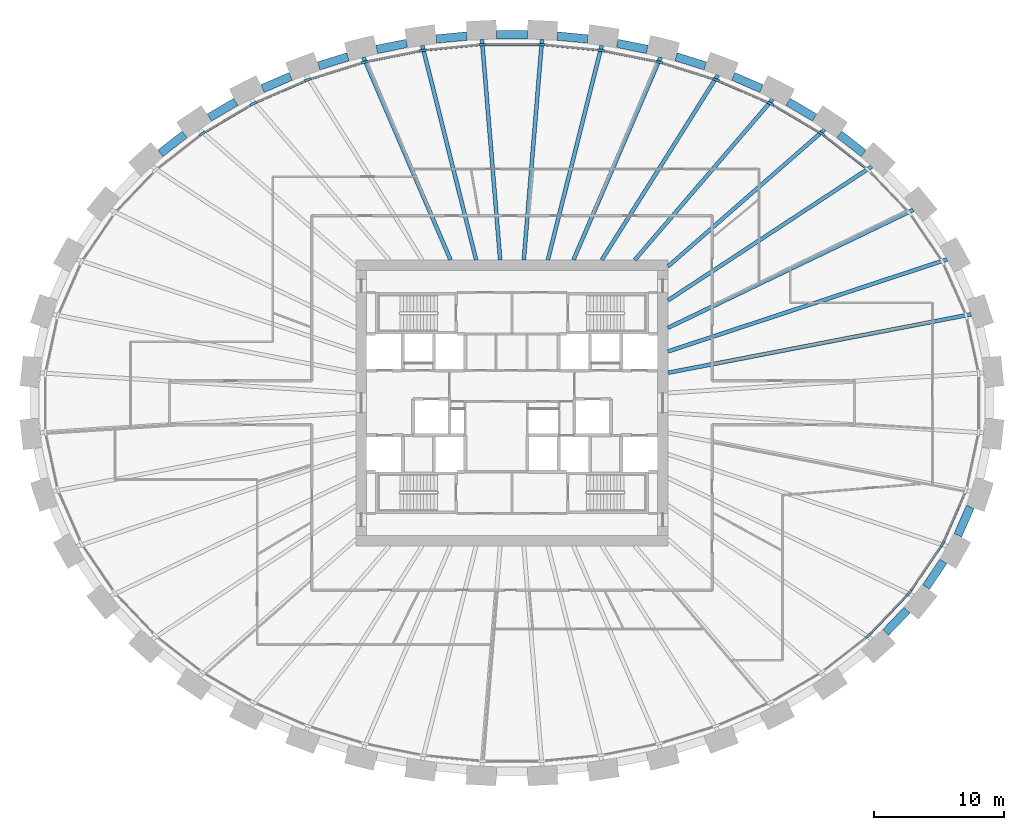
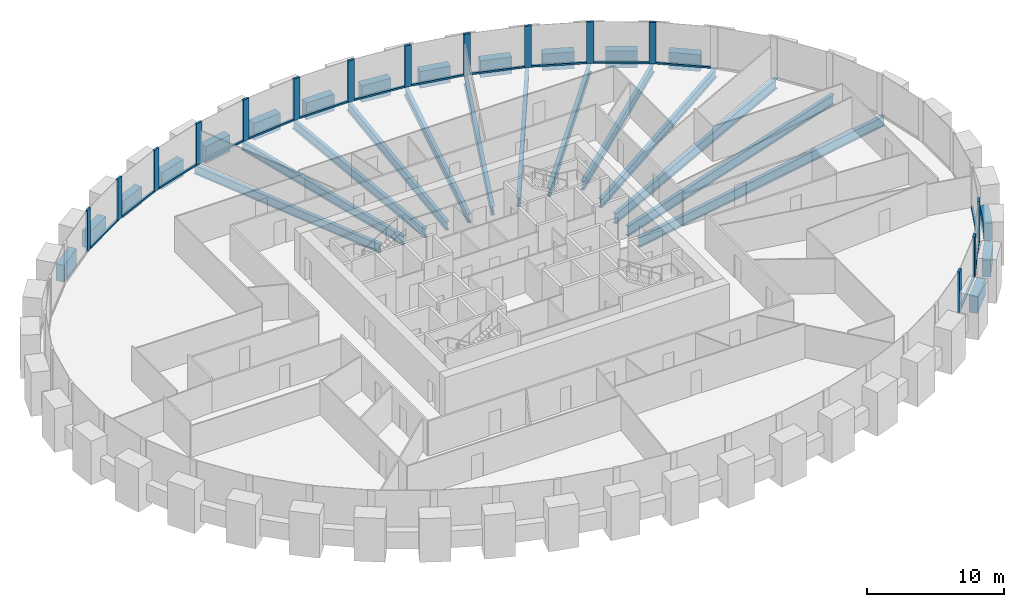
# One storey, part 3 of 10: 30 members, 29 beams, 1 element without a shape of its own.
"""IFC4 building model written with IfcOpenShell, lengths in metres."""

from ifc_helpers import new_model, si_unit, direction, frame, origin, origin_2d, place, context, subcontext, project, spatial, rectangle, i_section, extrude, source, transform, mapped, material, material_profile, profile_set, type_object, element, aggregate, save


model = new_model("IFC4")

# Units and contexts
model_context = context("Model", 3, precision=1e-05, world=origin(), true_north=direction((0.0, 1.0)))
body_context = subcontext(model_context, "Body", "Model", "MODEL_VIEW")
ifc_project = project(units=[si_unit("LENGTHUNIT", "METRE"), si_unit("AREAUNIT", "SQUARE_METRE"), si_unit("VOLUMEUNIT", "CUBIC_METRE"), si_unit("PLANEANGLEUNIT", "RADIAN"), si_unit("MASSUNIT", "GRAM", prefix="KILO")], contexts=[model_context])

# Site, building, storey
site_placement = place(None, origin())
site = spatial("IfcSite", under=ifc_project, at=site_placement, CompositionType="ELEMENT")
building_placement = place(site_placement, origin())
building = spatial("IfcBuilding", under=site, at=building_placement, Name="Embergate Tower", CompositionType="ELEMENT")
storey_placement = place(building_placement, frame((0.0, 0.0, 179.39990234375)))
storey = spatial("IfcBuildingStorey", under=building, at=storey_placement, Name="L40", CompositionType="ELEMENT", Elevation=179.39990234375)

# Beams
ifc_material_1 = material(Name="Concrete C70", Category="concrete")
ifc_material_profile_1 = material_profile(ifc_material_1, rectangle(XDim=0.64990234375, YDim=1.5, at=origin_2d()), Name="RC 650x1500")
ifc_profile_set_1 = profile_set([ifc_material_profile_1], Name="Concrete C70")
beam_type_1 = type_object("IfcBeamType", Name="Spandrel beam RC 650x1500 C70", PredefinedType="BEAM", material=ifc_profile_set_1)
shared_shape_1 = source(origin(), body_context, "Body", "SweptSolid", [
    extrude(rectangle(XDim=0.64990234375, YDim=1.5, at=origin_2d()), origin(), (0.0, 0.0, 1.0), 2.383544921875),
])
beam_1_placement = place(storey_placement, frame((34.302001953125, -10.18603515625, 0.0), z_axis=(0.401495719711, 0.915860899402, 0.0), x_axis=(-0.915860899402, 0.401495719711, 0.0)))
element("IfcBeam", 1, at=beam_1_placement, inside=storey, type_object=beam_type_1, Name="SPN-L40-41", PredefinedType="BEAM", context=body_context, shape_type="MappedRepresentation", body=[
    mapped(shared_shape_1, transform((0.0, 0.0, 0.0))),
])
shared_shape_2 = source(origin(), body_context, "Body", "SweptSolid", [
    extrude(rectangle(XDim=0.64990234375, YDim=1.5, at=origin_2d()), origin(), (0.0, 0.0, 1.0), 2.37744140625),
])
beam_2_placement = place(storey_placement, frame((31.85107421875, -14.1650390625, 0.0), z_axis=(0.562307212713, 0.826928411975, 0.0), x_axis=(-0.826928411975, 0.562307212713, 0.0)))
element("IfcBeam", 2, at=beam_2_placement, inside=storey, type_object=beam_type_1, Name="SPN-L40-40", PredefinedType="BEAM", context=body_context, shape_type="MappedRepresentation", body=[
    mapped(shared_shape_2, transform((0.0, 0.0, 0.0))),
])
shared_shape_3 = source(origin(), body_context, "Body", "SweptSolid", [
    extrude(rectangle(XDim=0.64990234375, YDim=1.5, at=origin_2d()), origin(), (0.0, 0.0, 1.0), 2.370361328125),
])
beam_3_placement = place(storey_placement, frame((28.7548828125, -17.656982421875, 0.0), z_axis=(0.690277300847, 0.723544917704, 0.0), x_axis=(-0.723544917704, 0.690277300847, 0.0)))
element("IfcBeam", 3, at=beam_3_placement, inside=storey, type_object=beam_type_1, Name="SPN-L40-39", PredefinedType="BEAM", context=body_context, shape_type="MappedRepresentation", body=[
    mapped(shared_shape_3, transform((0.0, 0.0, 0.0))),
])
shared_shape_4 = source(origin(), body_context, "Body", "SweptSolid", [
    extrude(rectangle(XDim=0.64990234375, YDim=1.5, at=origin_2d()), origin(), (0.0, 0.0, 1.0), 2.367431640625),
])
for number, where, z_axis, x_axis, name in (
    (4, (27.050048828125, 19.200927734375, 0.0), (-0.788179129097, 0.615445903761, 0.0), (-0.615445903761, -0.788179129097, 0.0), "SPN-L40-04"),
    (5, (-25.18408203125, 20.657958984375, 0.0), (-0.788179129097, -0.615445903761, 0.0), (0.615445903761, -0.788179129097, 0.0), "SPN-L40-16"),
):
    element("IfcBeam", number, at=place(storey_placement, frame(where, z_axis=z_axis, x_axis=x_axis)), inside=storey, type_object=beam_type_1, Name=name, PredefinedType="BEAM", context=body_context, shape_type="MappedRepresentation", body=[
        mapped(shared_shape_4, transform((0.0, 0.0, 0.0))),
    ])
shared_shape_5 = source(origin(), body_context, "Body", "SweptSolid", [
    extrude(rectangle(XDim=0.64990234375, YDim=1.5, at=origin_2d()), origin(), (0.0, 0.0, 1.0), 2.36181640625),
])
for number, where, z_axis, x_axis, name in (
    (6, (23.281982421875, 21.950927734375, 0.0), (-0.86203783714, 0.506843927989, 0.0), (-0.506843927989, -0.86203783714, 0.0), "SPN-L40-05"),
    (7, (-21.24609375, 23.14794921875, 0.0), (-0.86203783714, -0.506843927989, 0.0), (0.506843927989, -0.86203783714, 0.0), "SPN-L40-15"),
):
    element("IfcBeam", number, at=place(storey_placement, frame(where, z_axis=z_axis, x_axis=x_axis)), inside=storey, type_object=beam_type_1, Name=name, PredefinedType="BEAM", context=body_context, shape_type="MappedRepresentation", body=[
        mapped(shared_shape_5, transform((0.0, 0.0, 0.0))),
    ])
shared_shape_6 = source(origin(), body_context, "Body", "SweptSolid", [
    extrude(rectangle(XDim=0.64990234375, YDim=1.5, at=origin_2d()), origin(), (0.0, 0.0, 1.0), 2.357177734375),
])
for number, where, z_axis, x_axis, name in (
    (8, (19.18798828125, 24.175048828125, 0.0), (-0.916330780136, 0.400422153951, 0.0), (-0.400422153951, -0.916330780136, 0.0), "SPN-L40-06"),
    (9, (-17.028076171875, 25.118896484375, 0.0), (-0.916330780136, -0.400422153951, 0.0), (0.400422153951, -0.916330780136, 0.0), "SPN-L40-14"),
):
    element("IfcBeam", number, at=place(storey_placement, frame(where, z_axis=z_axis, x_axis=x_axis)), inside=storey, type_object=beam_type_1, Name=name, PredefinedType="BEAM", context=body_context, shape_type="MappedRepresentation", body=[
        mapped(shared_shape_6, transform((0.0, 0.0, 0.0))),
    ])
shared_shape_7 = source(origin(), body_context, "Body", "SweptSolid", [
    extrude(rectangle(XDim=0.64990234375, YDim=1.5, at=origin_2d()), origin(), (0.0, 0.0, 1.0), 2.354736328125),
])
for number, where, z_axis, x_axis, name in (
    (10, (14.873046875, 25.923095703125, 0.0), (-0.954671641149, 0.2976609776, 0.0), (-0.2976609776, -0.954671641149, 0.0), "SPN-L40-07"),
    (11, (-12.625, 26.6240234375, 0.0), (-0.954671641149, -0.2976609776, 0.0), (0.2976609776, -0.954671641149, 0.0), "SPN-L40-13"),
):
    element("IfcBeam", number, at=place(storey_placement, frame(where, z_axis=z_axis, x_axis=x_axis)), inside=storey, type_object=beam_type_1, Name=name, PredefinedType="BEAM", context=body_context, shape_type="MappedRepresentation", body=[
        mapped(shared_shape_7, transform((0.0, 0.0, 0.0))),
    ])
shared_shape_8 = source(origin(), body_context, "Body", "SweptSolid", [
    extrude(rectangle(XDim=0.64990234375, YDim=1.5, at=origin_2d()), origin(), (0.0, 0.0, 1.0), 2.35302734375),
])
for number, where, z_axis, x_axis, name in (
    (12, (10.39599609375, 27.19189453125, 0.0), (-0.980436743633, 0.196834427206, 0.0), (-0.196834427206, -0.980436743633, 0.0), "SPN-L40-08"),
    (13, (-8.089111328125, 27.655029296875, 0.0), (-0.980436743633, -0.196834427206, 0.0), (0.196834427206, -0.980436743633, 0.0), "SPN-L40-12"),
):
    element("IfcBeam", number, at=place(storey_placement, frame(where, z_axis=z_axis, x_axis=x_axis)), inside=storey, type_object=beam_type_1, Name=name, PredefinedType="BEAM", context=body_context, shape_type="MappedRepresentation", body=[
        mapped(shared_shape_8, transform((0.0, 0.0, 0.0))),
    ])
shared_shape_9 = source(origin(), body_context, "Body", "SweptSolid", [
    extrude(rectangle(XDim=0.64990234375, YDim=1.5, at=origin_2d()), origin(), (0.0, 0.0, 1.0), 2.352294921875),
])
for number, where, z_axis, x_axis, name in (
    (14, (5.81396484375, 27.993896484375, 0.0), (-0.995199233924, 0.097869733819, 0.0), (-0.097869733819, -0.995199233924, 0.0), "SPN-L40-09"),
    (15, (-3.472900390625, 28.22412109375, 0.0), (-0.995199233924, -0.097869733819, 0.0), (0.097869733819, -0.995199233924, 0.0), "SPN-L40-11"),
):
    element("IfcBeam", number, at=place(storey_placement, frame(where, z_axis=z_axis, x_axis=x_axis)), inside=storey, type_object=beam_type_1, Name=name, PredefinedType="BEAM", context=body_context, shape_type="MappedRepresentation", body=[
        mapped(shared_shape_9, transform((0.0, 0.0, 0.0))),
    ])
shared_shape_10 = source(origin(), body_context, "Body", "SweptSolid", [
    extrude(rectangle(XDim=0.64990234375, YDim=1.5, at=origin_2d()), origin(), (0.0, 0.0, 1.0), 2.35205078125),
])
beam_4_placement = place(storey_placement, frame((1.176025390625, 28.3369140625, 0.0), z_axis=(-1.0, 0.0, 0.0), x_axis=(0.0, -1.0, 0.0)))
element("IfcBeam", 16, at=beam_4_placement, inside=storey, type_object=beam_type_1, Name="SPN-L40-10", PredefinedType="BEAM", context=body_context, shape_type="MappedRepresentation", body=[
    mapped(shared_shape_10, transform((0.0, 0.0, 0.0))),
])
ifc_material_2 = material(Name="Steel Q355B", Category="steel")
ifc_material_profile_2 = material_profile(ifc_material_2, i_section(OverallWidth=0.300048828125, OverallDepth=0.89990234375, WebThickness=0.01611328125, FlangeThickness=0.028076171875, FilletRadius=0.028076171875, at=origin_2d()), Name="HN 900x300x16x28")
ifc_profile_set_2 = profile_set([ifc_material_profile_2], Name="Steel Q355 grade B")
beam_type_2 = type_object("IfcBeamType", Name="Radial girder HN 900x300x16x28", PredefinedType="BEAM", material=ifc_profile_set_2)
shared_shape_11 = source(origin(), body_context, "Body", "SweptSolid", [
    extrude(i_section(OverallWidth=0.300048828125, OverallDepth=0.89990234375, WebThickness=0.01611328125, FlangeThickness=0.028076171875, FilletRadius=0.028076171875, at=origin_2d()), origin(), (0.0, 0.0, 1.0), 23.747802734375),
])
beam_5_placement = place(storey_placement, frame((35.318115234375, 6.81201171875, -0.64990234375), z_axis=(-0.981906216614, -0.189367847787, 0.0), x_axis=(0.189367847787, -0.981906216614, 0.0)))
element("IfcBeam", 17, at=beam_5_placement, inside=storey, type_object=beam_type_2, Name="GIR-L40-01", PredefinedType="BEAM", context=body_context, shape_type="MappedRepresentation", body=[
    mapped(shared_shape_11, transform((0.0, 0.0, 0.0))),
])
shared_shape_12 = source(origin(), body_context, "Body", "SweptSolid", [
    extrude(i_section(OverallWidth=0.300048828125, OverallDepth=0.89990234375, WebThickness=0.01611328125, FlangeThickness=0.028076171875, FilletRadius=0.028076171875, at=origin_2d()), origin(), (0.0, 0.0, 1.0), 22.602294921875),
])
beam_6_placement = place(storey_placement, frame((33.465087890625, 11.035888671875, -0.64990234375), z_axis=(-0.949689481284, -0.313193054103, 0.0), x_axis=(0.313193054103, -0.949689481284, 0.0)))
element("IfcBeam", 18, at=beam_6_placement, inside=storey, type_object=beam_type_2, Name="GIR-L40-02", PredefinedType="BEAM", context=body_context, shape_type="MappedRepresentation", body=[
    mapped(shared_shape_12, transform((0.0, 0.0, 0.0))),
])
shared_shape_13 = source(origin(), body_context, "Body", "SweptSolid", [
    extrude(i_section(OverallWidth=0.300048828125, OverallDepth=0.89990234375, WebThickness=0.01611328125, FlangeThickness=0.028076171875, FilletRadius=0.028076171875, at=origin_2d()), origin(), (0.0, 0.0, 1.0), 20.941162109375),
])
beam_7_placement = place(storey_placement, frame((30.87109375, 14.85107421875, -0.64990234375), z_axis=(-0.901150138625, -0.433507125267, 0.0), x_axis=(0.433507125267, -0.901150138625, 0.0)))
element("IfcBeam", 19, at=beam_7_placement, inside=storey, type_object=beam_type_2, Name="GIR-L40-03", PredefinedType="BEAM", context=body_context, shape_type="MappedRepresentation", body=[
    mapped(shared_shape_13, transform((0.0, 0.0, 0.0))),
])
ifc_material_profile_3 = material_profile(ifc_material_2, i_section(OverallWidth=0.300048828125, OverallDepth=0.800048828125, WebThickness=0.013916015625, FlangeThickness=0.02587890625, FilletRadius=0.028076171875, at=origin_2d()), Name="HN 800x300x14x26")
ifc_profile_set_3 = profile_set([ifc_material_profile_3], Name="Steel Q355 grade B")
beam_type_3 = type_object("IfcBeamType", Name="Radial girder HN 800x300x14x26", PredefinedType="BEAM", material=ifc_profile_set_3)
shared_shape_14 = source(origin(), body_context, "Body", "SweptSolid", [
    extrude(i_section(OverallWidth=0.300048828125, OverallDepth=0.800048828125, WebThickness=0.013916015625, FlangeThickness=0.02587890625, FilletRadius=0.028076171875, at=origin_2d()), origin(), (0.0, 0.0, 1.0), 18.76953125),
])
beam_8_placement = place(storey_placement, frame((27.68701171875, 18.18994140625, -0.599853515625), z_axis=(-0.835771481667, -0.549077435734, 0.0), x_axis=(0.549077435734, -0.835771481667, 0.0)))
element("IfcBeam", 20, at=beam_8_placement, inside=storey, type_object=beam_type_3, Name="GIR-L40-04", PredefinedType="BEAM", context=body_context, shape_type="MappedRepresentation", body=[
    mapped(shared_shape_14, transform((0.0, 0.0, 0.0))),
])
shared_shape_15 = source(origin(), body_context, "Body", "SweptSolid", [
    extrude(i_section(OverallWidth=0.300048828125, OverallDepth=0.800048828125, WebThickness=0.013916015625, FlangeThickness=0.02587890625, FilletRadius=0.028076171875, at=origin_2d()), origin(), (0.0, 0.0, 1.0), 16.005859375),
])
beam_9_placement = place(storey_placement, frame((24.048095703125, 21.031005859375, -0.599853515625), z_axis=(-0.752730691054, -0.658328570506, 0.0), x_axis=(0.658328570506, -0.752730691054, 0.0)))
element("IfcBeam", 21, at=beam_9_placement, inside=storey, type_object=beam_type_3, Name="GIR-L40-05", PredefinedType="BEAM", context=body_context, shape_type="MappedRepresentation", body=[
    mapped(shared_shape_15, transform((0.0, 0.0, 0.0))),
])
shared_shape_16 = source(origin(), body_context, "Body", "SweptSolid", [
    extrude(i_section(OverallWidth=0.300048828125, OverallDepth=0.800048828125, WebThickness=0.013916015625, FlangeThickness=0.02587890625, FilletRadius=0.028076171875, at=origin_2d()), origin(), (0.0, 0.0, 1.0), 16.305419921875),
])
beam_10_placement = place(storey_placement, frame((20.069091796875, 23.3701171875, -0.599853515625), z_axis=(-0.651501333184, -0.758647489193, 0.0), x_axis=(0.758647489193, -0.651501333184, 0.0)))
element("IfcBeam", 22, at=beam_10_placement, inside=storey, type_object=beam_type_3, Name="GIR-L40-06", PredefinedType="BEAM", context=body_context, shape_type="MappedRepresentation", body=[
    mapped(shared_shape_16, transform((0.0, 0.0, 0.0))),
])
shared_shape_17 = source(origin(), body_context, "Body", "SweptSolid", [
    extrude(i_section(OverallWidth=0.300048828125, OverallDepth=0.800048828125, WebThickness=0.013916015625, FlangeThickness=0.02587890625, FilletRadius=0.028076171875, at=origin_2d()), origin(), (0.0, 0.0, 1.0), 16.79052734375),
])
beam_11_placement = place(storey_placement, frame((15.837890625, 25.218994140625, -0.599853515625), z_axis=(-0.531841858708, -0.8468436912, 0.0), x_axis=(0.8468436912, -0.531841858708, 0.0)))
element("IfcBeam", 23, at=beam_11_placement, inside=storey, type_object=beam_type_3, Name="GIR-L40-07", PredefinedType="BEAM", context=body_context, shape_type="MappedRepresentation", body=[
    mapped(shared_shape_17, transform((0.0, 0.0, 0.0))),
])
shared_shape_18 = source(origin(), body_context, "Body", "SweptSolid", [
    extrude(i_section(OverallWidth=0.300048828125, OverallDepth=0.800048828125, WebThickness=0.013916015625, FlangeThickness=0.02587890625, FilletRadius=0.028076171875, at=origin_2d()), origin(), (0.0, 0.0, 1.0), 16.971435546875),
])
for number, where, z_axis, x_axis, name in (
    (24, (11.429931640625, 26.592041015625, -0.599853515625), (-0.394894806524, -0.918726342161, 0.0), (0.918726342161, -0.394894806524, 0.0), "GIR-L40-08"),
    (25, (-11.429931640625, 26.592041015625, -0.599853515625), (0.394894806524, -0.918726342161, 0.0), (0.918726342161, 0.394894806524, 0.0), "GIR-L40-13"),
):
    element("IfcBeam", number, at=place(storey_placement, frame(where, z_axis=z_axis, x_axis=x_axis)), inside=storey, type_object=beam_type_3, Name=name, PredefinedType="BEAM", context=body_context, shape_type="MappedRepresentation", body=[
        mapped(shared_shape_18, transform((0.0, 0.0, 0.0))),
    ])
shared_shape_19 = source(origin(), body_context, "Body", "SweptSolid", [
    extrude(i_section(OverallWidth=0.300048828125, OverallDepth=0.800048828125, WebThickness=0.013916015625, FlangeThickness=0.02587890625, FilletRadius=0.028076171875, at=origin_2d()), origin(), (0.0, 0.0, 1.0), 17.011962890625),
])
for number, where, z_axis, x_axis, name in (
    (26, (6.903076171875, 27.5, -0.599853515625), (-0.243480994992, -0.969905668134, 0.0), (0.969905668134, -0.243480994992, 0.0), "GIR-L40-09"),
    (27, (-6.903076171875, 27.5, -0.599853515625), (0.243480994992, -0.969905668134, 0.0), (0.969905668134, 0.243480994992, 0.0), "GIR-L40-12"),
):
    element("IfcBeam", number, at=place(storey_placement, frame(where, z_axis=z_axis, x_axis=x_axis)), inside=storey, type_object=beam_type_3, Name=name, PredefinedType="BEAM", context=body_context, shape_type="MappedRepresentation", body=[
        mapped(shared_shape_19, transform((0.0, 0.0, 0.0))),
    ])
shared_shape_20 = source(origin(), body_context, "Body", "SweptSolid", [
    extrude(i_section(OverallWidth=0.300048828125, OverallDepth=0.800048828125, WebThickness=0.013916015625, FlangeThickness=0.02587890625, FilletRadius=0.028076171875, at=origin_2d()), origin(), (0.0, 0.0, 1.0), 17.009521484375),
])
for number, where, z_axis, x_axis, name in (
    (28, (2.30908203125, 27.951904296875, -0.599853515625), (-0.082314935073, -0.996606367361, 0.0), (0.996606367361, -0.082314935073, 0.0), "GIR-L40-10"),
    (29, (-2.30908203125, 27.951904296875, -0.599853515625), (0.082314935073, -0.996606367361, 0.0), (0.996606367361, 0.082314935073, 0.0), "GIR-L40-11"),
):
    element("IfcBeam", number, at=place(storey_placement, frame(where, z_axis=z_axis, x_axis=x_axis)), inside=storey, type_object=beam_type_3, Name=name, PredefinedType="BEAM", context=body_context, shape_type="MappedRepresentation", body=[
        mapped(shared_shape_20, transform((0.0, 0.0, 0.0))),
    ])

# Curtain wall, members
ifc_material_3 = material(Name="Aluminium and glass", Category="aluminium")
curtain_wall_type = type_object("IfcCurtainWallType", Name="Recessed office glazing", PredefinedType="NOTDEFINED", material=ifc_material_3)
curtain_wall_placement = place(storey_placement, origin())
curtain_wall = element("IfcCurtainWall", 30, at=curtain_wall_placement, inside=storey, type_object=curtain_wall_type, Name="Recessed office glazing ring", ObjectType="RECESSED OFFICE GLAZING", PredefinedType="USERDEFINED")
ifc_material_4 = material(Name="Aluminium, thermally broken", Category="aluminium")
ifc_material_profile_4 = material_profile(ifc_material_4, rectangle(XDim=0.179931640625, YDim=0.52001953125, at=origin_2d()), Name="AL 520x180")
ifc_profile_set_4 = profile_set([ifc_material_profile_4], Name="Aluminium, thermally broken")
member_type_1 = type_object("IfcMemberType", Name="Office mullion", PredefinedType="MULLION", material=ifc_profile_set_4)
shared_shape_21 = source(origin(), body_context, "Body", "SweptSolid", [
    extrude(rectangle(XDim=0.179931640625, YDim=0.52001953125, at=origin_2d()), origin(), (0.0, 0.0, 1.0), 3.7001953125),
])
member_1_placement = place(storey_placement, frame((23.82958984375, 20.70703125, 0.0), z_axis=(0.0, 0.0, 1.0), x_axis=(-0.562210401679, -0.82699423471, 0.0)))
member_1 = element("IfcMember", 31, at=member_1_placement, type_object=member_type_1, Name="CW mullion 6", PredefinedType="MULLION", context=body_context, shape_type="MappedRepresentation", body=[
    mapped(shared_shape_21, transform((0.0, 0.0, 0.0))),
])
member_2_placement = place(storey_placement, frame((19.89208984375, 23.02197265625, 0.0), z_axis=(0.0, 0.0, 1.0), x_axis=(-0.45450516197, -0.8907441034, 0.0)))
member_2 = element("IfcMember", 32, at=member_2_placement, type_object=member_type_1, Name="CW mullion 7", PredefinedType="MULLION", context=body_context, shape_type="MappedRepresentation", body=[
    mapped(shared_shape_21, transform((0.0, 0.0, 0.0))),
])
member_3_placement = place(storey_placement, frame((15.702880859375, 24.853759765625, 0.0), z_axis=(0.0, 0.0, 1.0), x_axis=(-0.349497777064, -0.936937193107, 0.0)))
member_3 = element("IfcMember", 33, at=member_3_placement, type_object=member_type_1, Name="CW mullion 8", PredefinedType="MULLION", context=body_context, shape_type="MappedRepresentation", body=[
    mapped(shared_shape_21, transform((0.0, 0.0, 0.0))),
])
member_4_placement = place(storey_placement, frame((11.334716796875, 26.214111328125, 0.0), z_axis=(0.0, 0.0, 1.0), x_axis=(-0.247308499144, -0.96893679167, 0.0)))
member_4 = element("IfcMember", 34, at=member_4_placement, type_object=member_type_1, Name="CW mullion 9", PredefinedType="MULLION", context=body_context, shape_type="MappedRepresentation", body=[
    mapped(shared_shape_21, transform((0.0, 0.0, 0.0))),
])
member_5_placement = place(storey_placement, frame((6.846435546875, 27.1142578125, 0.0), z_axis=(0.0, 0.0, 1.0), x_axis=(-0.147408930294, -0.989075632735, 0.0)))
member_5 = element("IfcMember", 35, at=member_5_placement, type_object=member_type_1, Name="CW mullion 10", PredefinedType="MULLION", context=body_context, shape_type="MappedRepresentation", body=[
    mapped(shared_shape_21, transform((0.0, 0.0, 0.0))),
])
member_6_placement = place(storey_placement, frame((2.28955078125, 27.56201171875, 0.0), z_axis=(0.0, 0.0, 1.0), x_axis=(-0.048970053385, -0.998800247232, 0.0)))
member_6 = element("IfcMember", 36, at=member_6_placement, type_object=member_type_1, Name="CW mullion 11", PredefinedType="MULLION", context=body_context, shape_type="MappedRepresentation", body=[
    mapped(shared_shape_21, transform((0.0, 0.0, 0.0))),
])
member_7_placement = place(storey_placement, frame((-2.28955078125, 27.56201171875, 0.0), z_axis=(0.0, 0.0, 1.0), x_axis=(0.048970053385, -0.998800247232, 0.0)))
member_7 = element("IfcMember", 37, at=member_7_placement, type_object=member_type_1, Name="CW mullion 12", PredefinedType="MULLION", context=body_context, shape_type="MappedRepresentation", body=[
    mapped(shared_shape_21, transform((0.0, 0.0, 0.0))),
])
member_8_placement = place(storey_placement, frame((-6.846435546875, 27.1142578125, 0.0), z_axis=(0.0, 0.0, 1.0), x_axis=(0.147408930294, -0.989075632735, 0.0)))
member_8 = element("IfcMember", 38, at=member_8_placement, type_object=member_type_1, Name="CW mullion 13", PredefinedType="MULLION", context=body_context, shape_type="MappedRepresentation", body=[
    mapped(shared_shape_21, transform((0.0, 0.0, 0.0))),
])
member_9_placement = place(storey_placement, frame((-11.334716796875, 26.214111328125, 0.0), z_axis=(0.0, 0.0, 1.0), x_axis=(0.247308499144, -0.96893679167, 0.0)))
member_9 = element("IfcMember", 39, at=member_9_placement, type_object=member_type_1, Name="CW mullion 14", PredefinedType="MULLION", context=body_context, shape_type="MappedRepresentation", body=[
    mapped(shared_shape_21, transform((0.0, 0.0, 0.0))),
])
member_10_placement = place(storey_placement, frame((-15.702880859375, 24.853759765625, 0.0), z_axis=(0.0, 0.0, 1.0), x_axis=(0.349497777064, -0.936937193107, 0.0)))
member_10 = element("IfcMember", 40, at=member_10_placement, type_object=member_type_1, Name="CW mullion 15", PredefinedType="MULLION", context=body_context, shape_type="MappedRepresentation", body=[
    mapped(shared_shape_21, transform((0.0, 0.0, 0.0))),
])
member_11_placement = place(storey_placement, frame((-19.89208984375, 23.02197265625, 0.0), z_axis=(0.0, 0.0, 1.0), x_axis=(0.45450516197, -0.8907441034, 0.0)))
member_11 = element("IfcMember", 41, at=member_11_placement, type_object=member_type_1, Name="CW mullion 16", PredefinedType="MULLION", context=body_context, shape_type="MappedRepresentation", body=[
    mapped(shared_shape_21, transform((0.0, 0.0, 0.0))),
])
member_12_placement = place(storey_placement, frame((-23.82958984375, 20.70703125, 0.0), z_axis=(0.0, 0.0, 1.0), x_axis=(0.562210401679, -0.82699423471, 0.0)))
member_12 = element("IfcMember", 42, at=member_12_placement, type_object=member_type_1, Name="CW mullion 17", PredefinedType="MULLION", context=body_context, shape_type="MappedRepresentation", body=[
    mapped(shared_shape_21, transform((0.0, 0.0, 0.0))),
])
member_13_placement = place(storey_placement, frame((27.425537109375, -17.900634765625, 0.0), z_axis=(0.0, 0.0, 1.0), x_axis=(-0.671221359023, 0.741256964346, 0.0)))
member_13 = element("IfcMember", 43, at=member_13_placement, type_object=member_type_1, Name="CW mullion 40", PredefinedType="MULLION", context=body_context, shape_type="MappedRepresentation", body=[
    mapped(shared_shape_21, transform((0.0, 0.0, 0.0))),
])
member_14_placement = place(storey_placement, frame((30.568359375, -14.60498046875, 0.0), z_axis=(0.0, 0.0, 1.0), x_axis=(-0.777867080309, 0.62842883875, 0.0)))
member_14 = element("IfcMember", 44, at=member_14_placement, type_object=member_type_1, Name="CW mullion 41", PredefinedType="MULLION", context=body_context, shape_type="MappedRepresentation", body=[
    mapped(shared_shape_21, transform((0.0, 0.0, 0.0))),
])
member_15_placement = place(storey_placement, frame((33.12451171875, -10.84619140625, 0.0), z_axis=(0.0, 0.0, 1.0), x_axis=(-0.874998516019, 0.484125600402, 0.0)))
member_15 = element("IfcMember", 45, at=member_15_placement, type_object=member_type_1, Name="CW mullion 42", PredefinedType="MULLION", context=body_context, shape_type="MappedRepresentation", body=[
    mapped(shared_shape_21, transform((0.0, 0.0, 0.0))),
])
ifc_material_profile_5 = material_profile(ifc_material_4, rectangle(XDim=0.179931640625, YDim=0.14990234375, at=origin_2d()), Name="AL 150x180")
ifc_profile_set_5 = profile_set([ifc_material_profile_5], Name="Aluminium, thermally broken")
member_type_2 = type_object("IfcMemberType", Name="Office sill transom", PredefinedType="USERDEFINED", material=ifc_profile_set_5)
shared_shape_22 = source(origin(), body_context, "Body", "SweptSolid", [
    extrude(rectangle(XDim=0.179931640625, YDim=0.14990234375, at=origin_2d()), origin(), (0.0, 0.0, 1.0), 4.0166015625),
])
member_16_placement = place(storey_placement, frame((33.22900390625, -10.608154296875, 0.0751953125), z_axis=(0.401644503167, 0.915795661202, 0.0), x_axis=(-0.915795661202, 0.401644503167, 0.0)))
member_16 = element("IfcMember", 46, at=member_16_placement, type_object=member_type_2, Name="CW transom 42.1", ObjectType="TRANSOM", PredefinedType="USERDEFINED", context=body_context, shape_type="MappedRepresentation", body=[
    mapped(shared_shape_22, transform((0.0, 0.0, 0.0))),
])
shared_shape_23 = source(origin(), body_context, "Body", "SweptSolid", [
    extrude(rectangle(XDim=0.179931640625, YDim=0.14990234375, at=origin_2d()), origin(), (0.0, 0.0, 1.0), 4.025390625),
])
member_17_placement = place(storey_placement, frame((30.714599609375, -14.389892578125, 0.0751953125), z_axis=(0.562346517012, 0.826901683881, 0.0), x_axis=(-0.826901683881, 0.562346517012, 0.0)))
member_17 = element("IfcMember", 47, at=member_17_placement, type_object=member_type_2, Name="CW transom 41.1", ObjectType="TRANSOM", PredefinedType="USERDEFINED", context=body_context, shape_type="MappedRepresentation", body=[
    mapped(shared_shape_23, transform((0.0, 0.0, 0.0))),
])
shared_shape_24 = source(origin(), body_context, "Body", "SweptSolid", [
    extrude(rectangle(XDim=0.179931640625, YDim=0.14990234375, at=origin_2d()), origin(), (0.0, 0.0, 1.0), 4.033935546875),
])
member_18_placement = place(storey_placement, frame((27.60498046875, -17.71240234375, 0.0751953125), z_axis=(0.690112930661, 0.723701694716, 0.0), x_axis=(-0.723701694716, 0.690112930661, 0.0)))
member_18 = element("IfcMember", 48, at=member_18_placement, type_object=member_type_2, Name="CW transom 40.1", ObjectType="TRANSOM", PredefinedType="USERDEFINED", context=body_context, shape_type="MappedRepresentation", body=[
    mapped(shared_shape_24, transform((0.0, 0.0, 0.0))),
])
shared_shape_25 = source(origin(), body_context, "Body", "SweptSolid", [
    extrude(rectangle(XDim=0.179931640625, YDim=0.14990234375, at=origin_2d()), origin(), (0.0, 0.0, 1.0), 4.04150390625),
])
member_19_placement = place(storey_placement, frame((27.220458984375, 18.060546875, 0.0751953125), z_axis=(-0.788326502743, 0.615257121107, 0.0), x_axis=(-0.615257121107, -0.788326502743, 0.0)))
member_19 = element("IfcMember", 49, at=member_19_placement, type_object=member_type_2, Name="CW transom 5.1", ObjectType="TRANSOM", PredefinedType="USERDEFINED", context=body_context, shape_type="MappedRepresentation", body=[
    mapped(shared_shape_25, transform((0.0, 0.0, 0.0))),
])
shared_shape_26 = source(origin(), body_context, "Body", "SweptSolid", [
    extrude(rectangle(XDim=0.179931640625, YDim=0.14990234375, at=origin_2d()), origin(), (0.0, 0.0, 1.0), 4.047607421875),
])
member_20_placement = place(storey_placement, frame((23.60546875, 20.8388671875, 0.0751953125), z_axis=(-0.862067536609, 0.50679341188, 0.0), x_axis=(-0.50679341188, -0.862067536609, 0.0)))
member_20 = element("IfcMember", 50, at=member_20_placement, type_object=member_type_2, Name="CW transom 6.1", ObjectType="TRANSOM", PredefinedType="USERDEFINED", context=body_context, shape_type="MappedRepresentation", body=[
    mapped(shared_shape_26, transform((0.0, 0.0, 0.0))),
])
member_21_placement = place(storey_placement, frame((-20.1162109375, 22.89013671875, 0.0751953125), z_axis=(-0.862067536609, -0.50679341188, 0.0), x_axis=(0.50679341188, -0.862067536609, 0.0)))
member_21 = element("IfcMember", 51, at=member_21_placement, type_object=member_type_2, Name="CW transom 16.1", ObjectType="TRANSOM", PredefinedType="USERDEFINED", context=body_context, shape_type="MappedRepresentation", body=[
    mapped(shared_shape_26, transform((0.0, 0.0, 0.0))),
])
shared_shape_27 = source(origin(), body_context, "Body", "SweptSolid", [
    extrude(rectangle(XDim=0.179931640625, YDim=0.14990234375, at=origin_2d()), origin(), (0.0, 0.0, 1.0), 4.052001953125),
])
member_22_placement = place(storey_placement, frame((19.65380859375, 23.126220703125, 0.0751953125), z_axis=(-0.91624719551, 0.400613375613, 0.0), x_axis=(-0.400613375613, -0.91624719551, 0.0)))
member_22 = element("IfcMember", 52, at=member_22_placement, type_object=member_type_2, Name="CW transom 7.1", ObjectType="TRANSOM", PredefinedType="USERDEFINED", context=body_context, shape_type="MappedRepresentation", body=[
    mapped(shared_shape_27, transform((0.0, 0.0, 0.0))),
])
member_23_placement = place(storey_placement, frame((-15.941162109375, 24.74951171875, 0.0751953125), z_axis=(-0.91624719551, -0.400613375613, 0.0), x_axis=(0.400613375613, -0.91624719551, 0.0)))
member_23 = element("IfcMember", 53, at=member_23_placement, type_object=member_type_2, Name="CW transom 15.1", ObjectType="TRANSOM", PredefinedType="USERDEFINED", context=body_context, shape_type="MappedRepresentation", body=[
    mapped(shared_shape_27, transform((0.0, 0.0, 0.0))),
])
shared_shape_28 = source(origin(), body_context, "Body", "SweptSolid", [
    extrude(rectangle(XDim=0.179931640625, YDim=0.14990234375, at=origin_2d()), origin(), (0.0, 0.0, 1.0), 4.055419921875),
])
member_24_placement = place(storey_placement, frame((15.454833984375, 24.930908203125, 0.0751953125), z_axis=(-0.954775154278, 0.297328782281, 0.0), x_axis=(-0.297328782281, -0.954775154278, 0.0)))
member_24 = element("IfcMember", 54, at=member_24_placement, type_object=member_type_2, Name="CW transom 8.1", ObjectType="TRANSOM", PredefinedType="USERDEFINED", context=body_context, shape_type="MappedRepresentation", body=[
    mapped(shared_shape_28, transform((0.0, 0.0, 0.0))),
])
member_25_placement = place(storey_placement, frame((-11.582763671875, 26.13671875, 0.0751953125), z_axis=(-0.954775154278, -0.297328782281, 0.0), x_axis=(0.297328782281, -0.954775154278, 0.0)))
member_25 = element("IfcMember", 55, at=member_25_placement, type_object=member_type_2, Name="CW transom 14.1", ObjectType="TRANSOM", PredefinedType="USERDEFINED", context=body_context, shape_type="MappedRepresentation", body=[
    mapped(shared_shape_28, transform((0.0, 0.0, 0.0))),
])
shared_shape_29 = source(origin(), body_context, "Body", "SweptSolid", [
    extrude(rectangle(XDim=0.179931640625, YDim=0.14990234375, at=origin_2d()), origin(), (0.0, 0.0, 1.0), 4.057373046875),
])
member_26_placement = place(storey_placement, frame((11.07958984375, 26.26513671875, 0.0751953125), z_axis=(-0.980476396391, 0.196636812728, 0.0), x_axis=(-0.196636812728, -0.980476396391, 0.0)))
member_26 = element("IfcMember", 56, at=member_26_placement, type_object=member_type_2, Name="CW transom 9.1", ObjectType="TRANSOM", PredefinedType="USERDEFINED", context=body_context, shape_type="MappedRepresentation", body=[
    mapped(shared_shape_29, transform((0.0, 0.0, 0.0))),
])
member_27_placement = place(storey_placement, frame((-7.101318359375, 27.06298828125, 0.0751953125), z_axis=(-0.980476396391, -0.196636812728, 0.0), x_axis=(0.196636812728, -0.980476396391, 0.0)))
member_27 = element("IfcMember", 57, at=member_27_placement, type_object=member_type_2, Name="CW transom 13.1", ObjectType="TRANSOM", PredefinedType="USERDEFINED", context=body_context, shape_type="MappedRepresentation", body=[
    mapped(shared_shape_29, transform((0.0, 0.0, 0.0))),
])
shared_shape_30 = source(origin(), body_context, "Body", "SweptSolid", [
    extrude(rectangle(XDim=0.179931640625, YDim=0.14990234375, at=origin_2d()), origin(), (0.0, 0.0, 1.0), 4.058837890625),
])
member_28_placement = place(storey_placement, frame((6.587646484375, 27.1396484375, 0.0751953125), z_axis=(-0.995205476783, 0.097806231807, 0.0), x_axis=(-0.097806231807, -0.995205476783, 0.0)))
member_28 = element("IfcMember", 58, at=member_28_placement, type_object=member_type_2, Name="CW transom 10.1", ObjectType="TRANSOM", PredefinedType="USERDEFINED", context=body_context, shape_type="MappedRepresentation", body=[
    mapped(shared_shape_30, transform((0.0, 0.0, 0.0))),
])
member_29_placement = place(storey_placement, frame((-2.54833984375, 27.53662109375, 0.0751953125), z_axis=(-0.995205476783, -0.097806231807, 0.0), x_axis=(0.097806231807, -0.995205476783, 0.0)))
member_29 = element("IfcMember", 59, at=member_29_placement, type_object=member_type_2, Name="CW transom 12.1", ObjectType="TRANSOM", PredefinedType="USERDEFINED", context=body_context, shape_type="MappedRepresentation", body=[
    mapped(shared_shape_30, transform((0.0, 0.0, 0.0))),
])
shared_shape_31 = source(origin(), body_context, "Body", "SweptSolid", [
    extrude(rectangle(XDim=0.179931640625, YDim=0.14990234375, at=origin_2d()), origin(), (0.0, 0.0, 1.0), 4.05908203125),
])
member_30_placement = place(storey_placement, frame((2.029541015625, 27.56201171875, 0.0751953125), z_axis=(-1.0, 0.0, 0.0), x_axis=(0.0, -1.0, 0.0)))
member_30 = element("IfcMember", 60, at=member_30_placement, type_object=member_type_2, Name="CW transom 11.1", ObjectType="TRANSOM", PredefinedType="USERDEFINED", context=body_context, shape_type="MappedRepresentation", body=[
    mapped(shared_shape_31, transform((0.0, 0.0, 0.0))),
])
aggregate(curtain_wall, [member_1, member_2, member_3, member_4, member_5, member_6, member_7, member_8, member_9, member_10, member_11, member_12, member_13, member_14, member_15, member_19, member_20, member_22, member_24, member_26, member_28, member_30, member_29, member_27, member_25, member_23, member_21, member_18, member_17, member_16])

save(model, "model.ifc")
